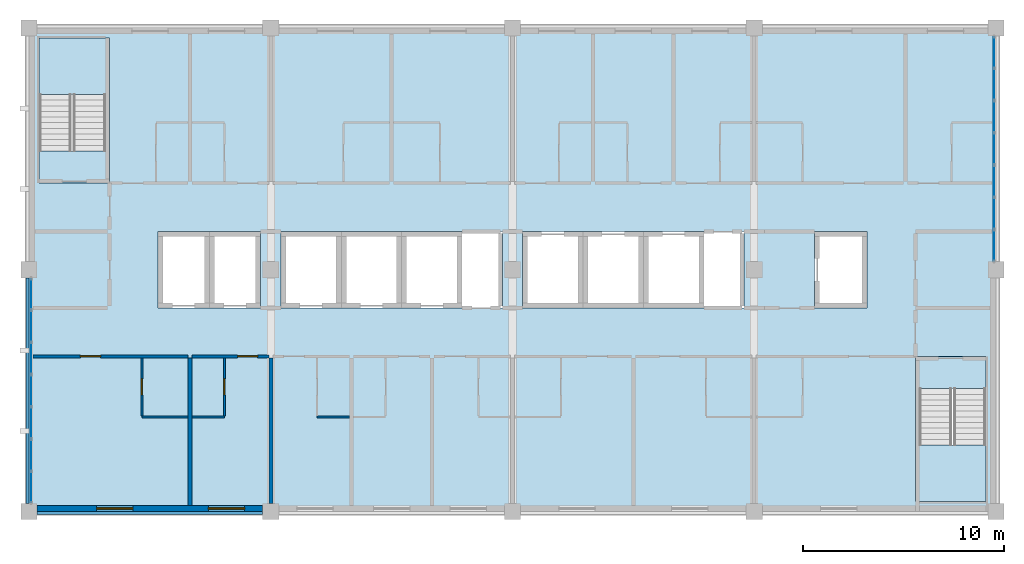
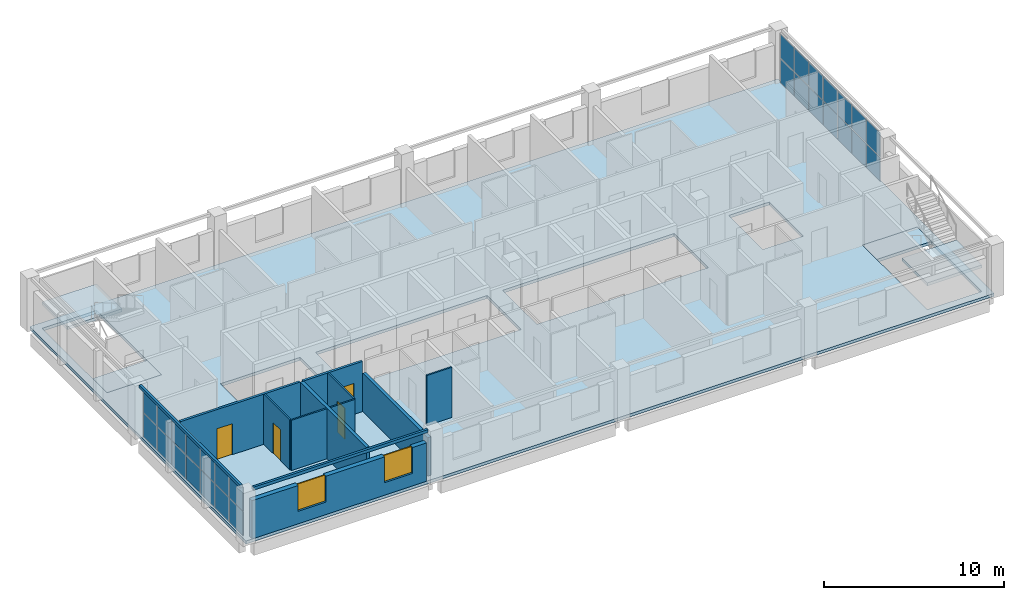
# One storey, part 5 of 11: 28 plates, 12 walls, 5 slabs, 4 doors, 2 windows, 6 openings, 4 elements without a shape of their own.
"""IFC4 building model written with IfcOpenShell, lengths in metres."""

from ifc_helpers import new_model, si_unit, direction, frame, frame_2d, origin, origin_2d, place, context, subcontext, project, spatial, polyline, rectangle, outline, extrude, material, layer, layer_set, type_object, element, fill, aggregate, save


model = new_model("IFC4")

# Units and contexts
model_context = context("Model", 3, precision=1e-05, world=origin(), true_north=direction((0.0, 1.0)))
body_context = subcontext(model_context, "Body", "Model", "MODEL_VIEW")
ifc_project = project(units=[si_unit("LENGTHUNIT", "METRE"), si_unit("AREAUNIT", "SQUARE_METRE"), si_unit("VOLUMEUNIT", "CUBIC_METRE"), si_unit("PLANEANGLEUNIT", "RADIAN"), si_unit("MASSUNIT", "GRAM", prefix="KILO")], contexts=[model_context])

# Site, building, storey
site_placement = place(None, origin())
site = spatial("IfcSite", under=ifc_project, at=site_placement, CompositionType="ELEMENT")
building_placement = place(site_placement, origin())
building = spatial("IfcBuilding", under=site, at=building_placement, Name="Lilac Gate Convention Centre", CompositionType="ELEMENT")
storey_placement = place(building_placement, frame((0.0, 0.0, 42.60009765625)))
storey = spatial("IfcBuildingStorey", under=building, at=storey_placement, Name="L10", CompositionType="ELEMENT", Elevation=42.60009765625)

# Curtain wall, plates
ifc_material_1 = material(Name="Aluminium framed double glazing", Category="aluminium")
ifc_layer_1 = layer(ifc_material_1, 0.199951171875)
ifc_layer_set_1 = layer_set([ifc_layer_1], Name="Aluminium framed double glazing")
curtain_wall_type = type_object("IfcCurtainWallType", Name="Unitised curtain wall 1500", PredefinedType="NOTDEFINED", material=ifc_layer_set_1)
curtain_wall_1_placement = place(storey_placement, origin())
curtain_wall_1 = element("IfcCurtainWall", 1, at=curtain_wall_1_placement, inside=storey, type_object=curtain_wall_type, Name="Curtain wall E L10 2", PredefinedType="NOTDEFINED")
ifc_material_2 = material(Name="Double glazed unit low emissivity")
ifc_layer_2 = layer(ifc_material_2, 0.028076171875)
ifc_layer_set_2 = layer_set([ifc_layer_2], Name="Double glazed unit low emissivity")
plate_type_1 = type_object("IfcPlateType", Name="Curtain wall glass panel 28", PredefinedType="CURTAIN_PANEL", material=ifc_layer_set_2)
plate_1_placement = place(storey_placement, frame((89.89990234375, 235.21484375, 1.72998046875), z_axis=(0.0, 0.0, 1.0), x_axis=(0.0, 1.0, 0.0)))
plate_1 = element("IfcPlate", 2, at=plate_1_placement, type_object=plate_type_1, Name="CW panel 1.2", PredefinedType="CURTAIN_PANEL", context=body_context, shape_type="SweptSolid", body=[
    extrude(rectangle(XDim=1.510009765625, YDim=0.028076171875, at=origin_2d()), origin(), (0.0, 0.0, 1.0), 1.610107421875),
])
plate_2_placement = place(storey_placement, frame((89.89990234375, 236.800048828125, 1.72998046875), z_axis=(0.0, 0.0, 1.0), x_axis=(0.0, 1.0, 0.0)))
plate_2 = element("IfcPlate", 3, at=plate_2_placement, type_object=plate_type_1, Name="CW panel 2.2", PredefinedType="CURTAIN_PANEL", context=body_context, shape_type="SweptSolid", body=[
    extrude(rectangle(XDim=1.5400390625, YDim=0.028076171875, at=origin_2d()), origin(), (0.0, 0.0, 1.0), 1.610107421875),
])
plate_3_placement = place(storey_placement, frame((89.89990234375, 238.39990234375, 1.72998046875), z_axis=(0.0, 0.0, 1.0), x_axis=(0.0, 1.0, 0.0)))
plate_3 = element("IfcPlate", 4, at=plate_3_placement, type_object=plate_type_1, Name="CW panel 3.2", PredefinedType="CURTAIN_PANEL", context=body_context, shape_type="SweptSolid", body=[
    extrude(rectangle(XDim=1.5400390625, YDim=0.028076171875, at=origin_2d()), origin(), (0.0, 0.0, 1.0), 1.610107421875),
])
plate_4_placement = place(storey_placement, frame((89.89990234375, 240.0, 1.72998046875), z_axis=(0.0, 0.0, 1.0), x_axis=(0.0, 1.0, 0.0)))
plate_4 = element("IfcPlate", 5, at=plate_4_placement, type_object=plate_type_1, Name="CW panel 4.2", PredefinedType="CURTAIN_PANEL", context=body_context, shape_type="SweptSolid", body=[
    extrude(rectangle(XDim=1.5400390625, YDim=0.028076171875, at=origin_2d()), origin(), (0.0, 0.0, 1.0), 1.610107421875),
])
plate_5_placement = place(storey_placement, frame((89.89990234375, 241.60009765625, 1.72998046875), z_axis=(0.0, 0.0, 1.0), x_axis=(0.0, 1.0, 0.0)))
plate_5 = element("IfcPlate", 6, at=plate_5_placement, type_object=plate_type_1, Name="CW panel 5.2", PredefinedType="CURTAIN_PANEL", context=body_context, shape_type="SweptSolid", body=[
    extrude(rectangle(XDim=1.5400390625, YDim=0.028076171875, at=origin_2d()), origin(), (0.0, 0.0, 1.0), 1.610107421875),
])
plate_6_placement = place(storey_placement, frame((89.89990234375, 243.199951171875, 1.72998046875), z_axis=(0.0, 0.0, 1.0), x_axis=(0.0, 1.0, 0.0)))
plate_6 = element("IfcPlate", 7, at=plate_6_placement, type_object=plate_type_1, Name="CW panel 6.2", PredefinedType="CURTAIN_PANEL", context=body_context, shape_type="SweptSolid", body=[
    extrude(rectangle(XDim=1.5400390625, YDim=0.028076171875, at=origin_2d()), origin(), (0.0, 0.0, 1.0), 1.610107421875),
])
plate_7_placement = place(storey_placement, frame((89.89990234375, 244.78515625, 1.72998046875), z_axis=(0.0, 0.0, 1.0), x_axis=(0.0, 1.0, 0.0)))
plate_7 = element("IfcPlate", 8, at=plate_7_placement, type_object=plate_type_1, Name="CW panel 7.2", PredefinedType="CURTAIN_PANEL", context=body_context, shape_type="SweptSolid", body=[
    extrude(rectangle(XDim=1.510009765625, YDim=0.028076171875, at=origin_2d()), origin(), (0.0, 0.0, 1.0), 1.610107421875),
])

curtain_wall_2_placement = place(storey_placement, origin())
curtain_wall_2 = element("IfcCurtainWall", 9, at=curtain_wall_2_placement, inside=storey, type_object=curtain_wall_type, Name="Curtain wall W L10 2", PredefinedType="NOTDEFINED")
plate_8_placement = place(storey_placement, frame((42.10009765625, 232.78515625, 1.72998046875), z_axis=(0.0, 0.0, 1.0), x_axis=(0.0, -1.0, 0.0)))
plate_8 = element("IfcPlate", 10, at=plate_8_placement, type_object=plate_type_1, Name="CW panel 1.2", PredefinedType="CURTAIN_PANEL", context=body_context, shape_type="SweptSolid", body=[
    extrude(rectangle(XDim=1.510009765625, YDim=0.028076171875, at=origin_2d()), origin(), (0.0, 0.0, 1.0), 1.610107421875),
])
plate_9_placement = place(storey_placement, frame((42.10009765625, 231.199951171875, 1.72998046875), z_axis=(0.0, 0.0, 1.0), x_axis=(0.0, -1.0, 0.0)))
plate_9 = element("IfcPlate", 11, at=plate_9_placement, type_object=plate_type_1, Name="CW panel 2.2", PredefinedType="CURTAIN_PANEL", context=body_context, shape_type="SweptSolid", body=[
    extrude(rectangle(XDim=1.5400390625, YDim=0.028076171875, at=origin_2d()), origin(), (0.0, 0.0, 1.0), 1.610107421875),
])
plate_10_placement = place(storey_placement, frame((42.10009765625, 229.60009765625, 1.72998046875), z_axis=(0.0, 0.0, 1.0), x_axis=(0.0, -1.0, 0.0)))
plate_10 = element("IfcPlate", 12, at=plate_10_placement, type_object=plate_type_1, Name="CW panel 3.2", PredefinedType="CURTAIN_PANEL", context=body_context, shape_type="SweptSolid", body=[
    extrude(rectangle(XDim=1.5400390625, YDim=0.028076171875, at=origin_2d()), origin(), (0.0, 0.0, 1.0), 1.610107421875),
])
plate_11_placement = place(storey_placement, frame((42.10009765625, 228.0, 1.72998046875), z_axis=(0.0, 0.0, 1.0), x_axis=(0.0, -1.0, 0.0)))
plate_11 = element("IfcPlate", 13, at=plate_11_placement, type_object=plate_type_1, Name="CW panel 4.2", PredefinedType="CURTAIN_PANEL", context=body_context, shape_type="SweptSolid", body=[
    extrude(rectangle(XDim=1.5400390625, YDim=0.028076171875, at=origin_2d()), origin(), (0.0, 0.0, 1.0), 1.610107421875),
])
plate_12_placement = place(storey_placement, frame((42.10009765625, 226.39990234375, 1.72998046875), z_axis=(0.0, 0.0, 1.0), x_axis=(0.0, -1.0, 0.0)))
plate_12 = element("IfcPlate", 14, at=plate_12_placement, type_object=plate_type_1, Name="CW panel 5.2", PredefinedType="CURTAIN_PANEL", context=body_context, shape_type="SweptSolid", body=[
    extrude(rectangle(XDim=1.5400390625, YDim=0.028076171875, at=origin_2d()), origin(), (0.0, 0.0, 1.0), 1.610107421875),
])
plate_13_placement = place(storey_placement, frame((42.10009765625, 224.800048828125, 1.72998046875), z_axis=(0.0, 0.0, 1.0), x_axis=(0.0, -1.0, 0.0)))
plate_13 = element("IfcPlate", 15, at=plate_13_placement, type_object=plate_type_1, Name="CW panel 6.2", PredefinedType="CURTAIN_PANEL", context=body_context, shape_type="SweptSolid", body=[
    extrude(rectangle(XDim=1.5400390625, YDim=0.028076171875, at=origin_2d()), origin(), (0.0, 0.0, 1.0), 1.610107421875),
])
plate_14_placement = place(storey_placement, frame((42.10009765625, 223.21484375, 1.72998046875), z_axis=(0.0, 0.0, 1.0), x_axis=(0.0, -1.0, 0.0)))
plate_14 = element("IfcPlate", 16, at=plate_14_placement, type_object=plate_type_1, Name="CW panel 7.2", PredefinedType="CURTAIN_PANEL", context=body_context, shape_type="SweptSolid", body=[
    extrude(rectangle(XDim=1.510009765625, YDim=0.028076171875, at=origin_2d()), origin(), (0.0, 0.0, 1.0), 1.610107421875),
])

# Plate
ifc_material_3 = material(Name="Insulated aluminium spandrel panel", Category="aluminium")
ifc_layer_3 = layer(ifc_material_3, 0.028076171875)
ifc_layer_set_3 = layer_set([ifc_layer_3], Name="Insulated aluminium spandrel panel")
plate_type_2 = type_object("IfcPlateType", Name="Curtain wall spandrel panel 28", PredefinedType="CURTAIN_PANEL", material=ifc_layer_set_3)
plate_15_placement = place(storey_placement, frame((89.89990234375, 235.21484375, 0.06005859375), z_axis=(0.0, 0.0, 1.0), x_axis=(0.0, 1.0, 0.0)))
plate_15 = element("IfcPlate", 17, at=plate_15_placement, type_object=plate_type_2, Name="CW spandrel 1.1", PredefinedType="CURTAIN_PANEL", context=body_context, shape_type="SweptSolid", body=[
    extrude(rectangle(XDim=1.510009765625, YDim=0.028076171875, at=origin_2d()), origin(), (0.0, 0.0, 1.0), 1.60986328125),
])

plate_16_placement = place(storey_placement, frame((89.89990234375, 236.800048828125, 0.06005859375), z_axis=(0.0, 0.0, 1.0), x_axis=(0.0, 1.0, 0.0)))
plate_16 = element("IfcPlate", 18, at=plate_16_placement, type_object=plate_type_2, Name="CW spandrel 2.1", PredefinedType="CURTAIN_PANEL", context=body_context, shape_type="SweptSolid", body=[
    extrude(rectangle(XDim=1.5400390625, YDim=0.028076171875, at=origin_2d()), origin(), (0.0, 0.0, 1.0), 1.60986328125),
])

plate_17_placement = place(storey_placement, frame((89.89990234375, 238.39990234375, 0.06005859375), z_axis=(0.0, 0.0, 1.0), x_axis=(0.0, 1.0, 0.0)))
plate_17 = element("IfcPlate", 19, at=plate_17_placement, type_object=plate_type_2, Name="CW spandrel 3.1", PredefinedType="CURTAIN_PANEL", context=body_context, shape_type="SweptSolid", body=[
    extrude(rectangle(XDim=1.5400390625, YDim=0.028076171875, at=origin_2d()), origin(), (0.0, 0.0, 1.0), 1.60986328125),
])

plate_18_placement = place(storey_placement, frame((89.89990234375, 240.0, 0.06005859375), z_axis=(0.0, 0.0, 1.0), x_axis=(0.0, 1.0, 0.0)))
plate_18 = element("IfcPlate", 20, at=plate_18_placement, type_object=plate_type_2, Name="CW spandrel 4.1", PredefinedType="CURTAIN_PANEL", context=body_context, shape_type="SweptSolid", body=[
    extrude(rectangle(XDim=1.5400390625, YDim=0.028076171875, at=origin_2d()), origin(), (0.0, 0.0, 1.0), 1.60986328125),
])

plate_19_placement = place(storey_placement, frame((89.89990234375, 241.60009765625, 0.06005859375), z_axis=(0.0, 0.0, 1.0), x_axis=(0.0, 1.0, 0.0)))
plate_19 = element("IfcPlate", 21, at=plate_19_placement, type_object=plate_type_2, Name="CW spandrel 5.1", PredefinedType="CURTAIN_PANEL", context=body_context, shape_type="SweptSolid", body=[
    extrude(rectangle(XDim=1.5400390625, YDim=0.028076171875, at=origin_2d()), origin(), (0.0, 0.0, 1.0), 1.60986328125),
])

plate_20_placement = place(storey_placement, frame((89.89990234375, 243.199951171875, 0.06005859375), z_axis=(0.0, 0.0, 1.0), x_axis=(0.0, 1.0, 0.0)))
plate_20 = element("IfcPlate", 22, at=plate_20_placement, type_object=plate_type_2, Name="CW spandrel 6.1", PredefinedType="CURTAIN_PANEL", context=body_context, shape_type="SweptSolid", body=[
    extrude(rectangle(XDim=1.5400390625, YDim=0.028076171875, at=origin_2d()), origin(), (0.0, 0.0, 1.0), 1.60986328125),
])

plate_21_placement = place(storey_placement, frame((89.89990234375, 244.78515625, 0.06005859375), z_axis=(0.0, 0.0, 1.0), x_axis=(0.0, 1.0, 0.0)))
plate_21 = element("IfcPlate", 23, at=plate_21_placement, type_object=plate_type_2, Name="CW spandrel 7.1", PredefinedType="CURTAIN_PANEL", context=body_context, shape_type="SweptSolid", body=[
    extrude(rectangle(XDim=1.510009765625, YDim=0.028076171875, at=origin_2d()), origin(), (0.0, 0.0, 1.0), 1.60986328125),
])

aggregate(curtain_wall_1, [plate_15, plate_1, plate_16, plate_2, plate_17, plate_3, plate_18, plate_4, plate_19, plate_5, plate_20, plate_6, plate_21, plate_7])

plate_22_placement = place(storey_placement, frame((42.10009765625, 232.78515625, 0.06005859375), z_axis=(0.0, 0.0, 1.0), x_axis=(0.0, -1.0, 0.0)))
plate_22 = element("IfcPlate", 24, at=plate_22_placement, type_object=plate_type_2, Name="CW spandrel 1.1", PredefinedType="CURTAIN_PANEL", context=body_context, shape_type="SweptSolid", body=[
    extrude(rectangle(XDim=1.510009765625, YDim=0.028076171875, at=origin_2d()), origin(), (0.0, 0.0, 1.0), 1.60986328125),
])

plate_23_placement = place(storey_placement, frame((42.10009765625, 231.199951171875, 0.06005859375), z_axis=(0.0, 0.0, 1.0), x_axis=(0.0, -1.0, 0.0)))
plate_23 = element("IfcPlate", 25, at=plate_23_placement, type_object=plate_type_2, Name="CW spandrel 2.1", PredefinedType="CURTAIN_PANEL", context=body_context, shape_type="SweptSolid", body=[
    extrude(rectangle(XDim=1.5400390625, YDim=0.028076171875, at=origin_2d()), origin(), (0.0, 0.0, 1.0), 1.60986328125),
])

plate_24_placement = place(storey_placement, frame((42.10009765625, 229.60009765625, 0.06005859375), z_axis=(0.0, 0.0, 1.0), x_axis=(0.0, -1.0, 0.0)))
plate_24 = element("IfcPlate", 26, at=plate_24_placement, type_object=plate_type_2, Name="CW spandrel 3.1", PredefinedType="CURTAIN_PANEL", context=body_context, shape_type="SweptSolid", body=[
    extrude(rectangle(XDim=1.5400390625, YDim=0.028076171875, at=origin_2d()), origin(), (0.0, 0.0, 1.0), 1.60986328125),
])

plate_25_placement = place(storey_placement, frame((42.10009765625, 228.0, 0.06005859375), z_axis=(0.0, 0.0, 1.0), x_axis=(0.0, -1.0, 0.0)))
plate_25 = element("IfcPlate", 27, at=plate_25_placement, type_object=plate_type_2, Name="CW spandrel 4.1", PredefinedType="CURTAIN_PANEL", context=body_context, shape_type="SweptSolid", body=[
    extrude(rectangle(XDim=1.5400390625, YDim=0.028076171875, at=origin_2d()), origin(), (0.0, 0.0, 1.0), 1.60986328125),
])

plate_26_placement = place(storey_placement, frame((42.10009765625, 226.39990234375, 0.06005859375), z_axis=(0.0, 0.0, 1.0), x_axis=(0.0, -1.0, 0.0)))
plate_26 = element("IfcPlate", 28, at=plate_26_placement, type_object=plate_type_2, Name="CW spandrel 5.1", PredefinedType="CURTAIN_PANEL", context=body_context, shape_type="SweptSolid", body=[
    extrude(rectangle(XDim=1.5400390625, YDim=0.028076171875, at=origin_2d()), origin(), (0.0, 0.0, 1.0), 1.60986328125),
])

plate_27_placement = place(storey_placement, frame((42.10009765625, 224.800048828125, 0.06005859375), z_axis=(0.0, 0.0, 1.0), x_axis=(0.0, -1.0, 0.0)))
plate_27 = element("IfcPlate", 29, at=plate_27_placement, type_object=plate_type_2, Name="CW spandrel 6.1", PredefinedType="CURTAIN_PANEL", context=body_context, shape_type="SweptSolid", body=[
    extrude(rectangle(XDim=1.5400390625, YDim=0.028076171875, at=origin_2d()), origin(), (0.0, 0.0, 1.0), 1.60986328125),
])

plate_28_placement = place(storey_placement, frame((42.10009765625, 223.21484375, 0.06005859375), z_axis=(0.0, 0.0, 1.0), x_axis=(0.0, -1.0, 0.0)))
plate_28 = element("IfcPlate", 30, at=plate_28_placement, type_object=plate_type_2, Name="CW spandrel 7.1", PredefinedType="CURTAIN_PANEL", context=body_context, shape_type="SweptSolid", body=[
    extrude(rectangle(XDim=1.510009765625, YDim=0.028076171875, at=origin_2d()), origin(), (0.0, 0.0, 1.0), 1.60986328125),
])

aggregate(curtain_wall_2, [plate_22, plate_8, plate_23, plate_9, plate_24, plate_10, plate_25, plate_11, plate_26, plate_12, plate_27, plate_13, plate_28, plate_14])

# Stair, slabs
ifc_material_4 = material(Name="Concrete C40", Category="concrete")
stair_type = type_object("IfcStairType", Name="Exit stair", PredefinedType="DOUBLE_RETURN_STAIR", material=ifc_material_4)
stair_1_placement = place(storey_placement, origin())
stair_1 = element("IfcStair", 31, at=stair_1_placement, inside=storey, type_object=stair_type, Name="Exit stair NW L10", PredefinedType="DOUBLE_RETURN_STAIR")
ifc_layer_4 = layer(ifc_material_4, 0.199951171875)
ifc_layer_set_4 = layer_set([ifc_layer_4], Name="Concrete C40")
slab_type_1 = type_object("IfcSlabType", Name="Exit stair landing", PredefinedType="LANDING", material=ifc_layer_set_4)
slab_1_placement = place(storey_placement, frame((0.0, 0.0, -0.2001953125)))
slab_1 = element("IfcSlab", 32, at=slab_1_placement, type_object=slab_type_1, Name="ST-NW landing 1", PredefinedType="LANDING", context=body_context, shape_type="SweptSolid", body=[
    extrude(outline(polyline([(42.5, 238.300048828125), (46.0, 238.300048828125), (46.0, 239.89990234375), (42.5, 239.89990234375), (42.5, 238.300048828125)])), origin(), (0.0, 0.0, 1.0), 0.2001953125),
])
slab_2_placement = place(storey_placement, frame((0.0, 0.0, 1.599853515625)))
slab_2 = element("IfcSlab", 33, at=slab_2_placement, type_object=slab_type_1, Name="ST-NW landing 2", PredefinedType="LANDING", context=body_context, shape_type="SweptSolid", body=[
    extrude(outline(polyline([(42.5, 242.699951171875), (46.0, 242.699951171875), (46.0, 245.5), (42.5, 245.5), (42.5, 242.699951171875)])), origin(), (0.0, 0.0, 1.0), 0.199951171875),
])
aggregate(stair_1, [slab_1, slab_2])

stair_2_placement = place(storey_placement, origin())
stair_2 = element("IfcStair", 34, at=stair_2_placement, inside=storey, type_object=stair_type, Name="Exit stair SE L10", PredefinedType="DOUBLE_RETURN_STAIR")
slab_3_placement = place(storey_placement, frame((0.0, 0.0, -0.2001953125)))
slab_3 = element("IfcSlab", 35, at=slab_3_placement, type_object=slab_type_1, Name="ST-SE landing 1", PredefinedType="LANDING", context=body_context, shape_type="SweptSolid", body=[
    extrude(outline(polyline([(86.0, 228.10009765625), (89.5, 228.10009765625), (89.5, 229.699951171875), (86.0, 229.699951171875), (86.0, 228.10009765625)])), origin(), (0.0, 0.0, 1.0), 0.2001953125),
])
slab_4_placement = place(storey_placement, frame((0.0, 0.0, 1.599853515625)))
slab_4 = element("IfcSlab", 36, at=slab_4_placement, type_object=slab_type_1, Name="ST-SE landing 2", PredefinedType="LANDING", context=body_context, shape_type="SweptSolid", body=[
    extrude(outline(polyline([(86.0, 222.5), (89.5, 222.5), (89.5, 225.300048828125), (86.0, 225.300048828125), (86.0, 222.5)])), origin(), (0.0, 0.0, 1.0), 0.199951171875),
])
aggregate(stair_2, [slab_3, slab_4])

# Slab
ifc_layer_5 = layer(ifc_material_4, 0.199951171875)
ifc_layer_set_5 = layer_set([ifc_layer_5], Name="Concrete C40")
slab_type_2 = type_object("IfcSlabType", Name="Floor slab 200 C40", PredefinedType="FLOOR", material=ifc_layer_set_5)
slab_5_placement = place(storey_placement, frame((0.0, 0.0, -0.2001953125)))
element("IfcSlab", 37, at=slab_5_placement, inside=storey, type_object=slab_type_2, Name="FS3 slab L10 1", PredefinedType="FLOOR", context=body_context, shape_type="SweptSolid", body=[
    extrude(outline(polyline([(42.0, 222.0), (42.0, 246.0), (90.0, 246.0), (90.0, 222.0), (42.0, 222.0)]), holes=[polyline([(48.39990234375, 235.89990234375), (48.39990234375, 232.10009765625), (50.949951171875, 232.10009765625), (53.5, 232.10009765625), (53.5, 235.89990234375), (50.949951171875, 235.89990234375), (48.39990234375, 235.89990234375)]), polyline([(57.5, 235.89990234375), (54.5, 235.89990234375), (54.5, 232.10009765625), (57.5, 232.10009765625), (60.5, 232.10009765625), (63.5, 232.10009765625), (65.5, 232.10009765625), (65.5, 235.89990234375), (63.5, 235.89990234375), (60.5, 235.89990234375), (57.5, 235.89990234375)]), polyline([(42.5, 245.5), (42.5, 238.300048828125), (46.0, 238.300048828125), (46.0, 245.5), (42.5, 245.5)]), polyline([(89.5, 229.699951171875), (86.0, 229.699951171875), (86.0, 222.5), (89.5, 222.5), (89.5, 229.699951171875)]), polyline([(69.5, 235.89990234375), (66.5, 235.89990234375), (66.5, 232.10009765625), (69.5, 232.10009765625), (72.5, 232.10009765625), (75.5, 232.10009765625), (77.5, 232.10009765625), (77.5, 235.89990234375), (75.5, 235.89990234375), (72.5, 235.89990234375), (69.5, 235.89990234375)]), polyline([(83.60009765625, 235.89990234375), (81.0, 235.89990234375), (81.0, 232.10009765625), (83.60009765625, 232.10009765625), (83.60009765625, 235.89990234375)])]), origin(), (0.0, 0.0, 1.0), 0.2001953125),
])

# Wall, opening, door
ifc_material_5 = material(Name="Gypsum board on steel stud", Category="steel")
ifc_layer_6 = layer(ifc_material_5, 0.14990234375)
ifc_layer_set_6 = layer_set([ifc_layer_6], Name="Gypsum board on steel stud")
wall_type_1 = type_object("IfcWallType", Name="Corridor wall 150", PredefinedType="PARTITIONING", material=ifc_layer_set_6)
wall_1_placement = place(storey_placement, frame((49.89990234375, 229.699951171875, 0.0), z_axis=(0.0, 0.0, 1.0), x_axis=(-1.0, 0.0, 0.0)))
wall_1 = element("IfcWall", 38, at=wall_1_placement, inside=storey, type_object=wall_type_1, Name="Corridor wall 150 front 1001", PredefinedType="PARTITIONING", context=body_context, shape_type="SweptSolid", body=[
    extrude(rectangle(XDim=7.69970703125, YDim=0.14990234375, at=frame_2d((3.849853515625, 0.0))), origin(), (0.0, 0.0, 1.0), 3.39990234375),
])
opening_1_placement = place(wall_1_placement, frame((4.35009765625, 0.0, 0.0)))
opening_1 = element("IfcOpeningElement", 39, at=opening_1_placement, cuts=wall_1, Name="Opening T10-008", PredefinedType="OPENING", context=body_context, shape_type="SweptSolid", body=[
    extrude(rectangle(XDim=1.0, YDim=2.10009765625, at=frame_2d((0.5, 1.050048828125))), frame((0.0, 0.0849609375, 0.0), z_axis=(0.0, -1.0, 0.0), x_axis=(1.0, 0.0, 0.0)), (0.0, 0.0, 1.0), 0.169921875),
])
ifc_material_6 = material(Name="Timber", Category="wood")
door_type_1 = type_object("IfcDoorType", Name="Guest room entrance door 1000", OperationType="SINGLE_SWING_LEFT", PredefinedType="DOOR", material=ifc_material_6)
door_1_placement = place(opening_1_placement, origin())
door_1 = element("IfcDoor", 40, at=door_1_placement, inside=storey, type_object=door_type_1, Name="Guest room door 1001", OperationType="SINGLE_SWING_LEFT", OverallHeight=2.10009765625, OverallWidth=1.0, PredefinedType="DOOR", context=body_context, shape_type="SweptSolid", body=[
    extrude(rectangle(XDim=1.0, YDim=2.10009765625, at=frame_2d((0.5, 1.050048828125))), frame((0.0, 0.02490234375, 0.0), z_axis=(0.0, -1.0, 0.0), x_axis=(1.0, 0.0, 0.0)), (0.0, 0.0, 1.0), 0.050048828125),
])
fill(opening_1, door_1)

wall_2_placement = place(storey_placement, frame((53.89990234375, 229.699951171875, 0.0), z_axis=(0.0, 0.0, 1.0), x_axis=(-1.0, 0.0, 0.0)))
wall_2 = element("IfcWall", 41, at=wall_2_placement, inside=storey, type_object=wall_type_1, Name="Corridor wall 150 front 1002", PredefinedType="PARTITIONING", context=body_context, shape_type="SweptSolid", body=[
    extrude(rectangle(XDim=3.7998046875, YDim=0.14990234375, at=frame_2d((1.89990234375, 0.0))), origin(), (0.0, 0.0, 1.0), 3.39990234375),
])
opening_2_placement = place(wall_2_placement, frame((0.550048828125, 0.0, 0.0)))
opening_2 = element("IfcOpeningElement", 42, at=opening_2_placement, cuts=wall_2, Name="Opening T10-010", PredefinedType="OPENING", context=body_context, shape_type="SweptSolid", body=[
    extrude(rectangle(XDim=1.0, YDim=2.10009765625, at=frame_2d((0.5, 1.050048828125))), frame((0.0, 0.0849609375, 0.0), z_axis=(0.0, -1.0, 0.0), x_axis=(1.0, 0.0, 0.0)), (0.0, 0.0, 1.0), 0.169921875),
])
door_2_placement = place(opening_2_placement, origin())
door_2 = element("IfcDoor", 43, at=door_2_placement, inside=storey, type_object=door_type_1, Name="Guest room door 1002", OperationType="SINGLE_SWING_LEFT", OverallHeight=2.10009765625, OverallWidth=1.0, PredefinedType="DOOR", context=body_context, shape_type="SweptSolid", body=[
    extrude(rectangle(XDim=1.0, YDim=2.10009765625, at=frame_2d((0.5, 1.050048828125))), frame((0.0, 0.02490234375, 0.0), z_axis=(0.0, -1.0, 0.0), x_axis=(1.0, 0.0, 0.0)), (0.0, 0.0, 1.0), 0.050048828125),
])
fill(opening_2, door_2)

# Wall
ifc_layer_7 = layer(ifc_material_5, 0.10009765625)
ifc_layer_set_7 = layer_set([ifc_layer_7], Name="Gypsum board on steel stud")
wall_type_2 = type_object("IfcWallType", Name="En-suite wall 100", PredefinedType="PARTITIONING", material=ifc_layer_set_7)
wall_3_placement = place(storey_placement, frame((47.60009765625, 226.699951171875, 0.0), z_axis=(0.0, 0.0, 1.0), x_axis=(1.0, 0.0, 0.0)))
element("IfcWall", 44, at=wall_3_placement, inside=storey, type_object=wall_type_2, Name="En-suite wall 100 bath 1001", PredefinedType="PARTITIONING", context=body_context, shape_type="SweptSolid", body=[
    extrude(rectangle(XDim=2.2998046875, YDim=0.10009765625, at=frame_2d((1.14990234375, 0.0))), origin(), (0.0, 0.0, 1.0), 3.39990234375),
])

# Wall, opening, door
wall_4_placement = place(storey_placement, frame((47.60009765625, 226.75, 0.0), z_axis=(0.0, 0.0, 1.0), x_axis=(0.0, 1.0, 0.0)))
wall_4 = element("IfcWall", 45, at=wall_4_placement, inside=storey, type_object=wall_type_2, Name="En-suite wall 100 bath side 1001", PredefinedType="PARTITIONING", context=body_context, shape_type="SweptSolid", body=[
    extrude(rectangle(XDim=2.875, YDim=0.10009765625, at=frame_2d((1.4375, 0.0))), origin(), (0.0, 0.0, 1.0), 3.39990234375),
])
opening_3_placement = place(wall_4_placement, frame((1.03759765625, 0.0, 0.0)))
opening_3 = element("IfcOpeningElement", 46, at=opening_3_placement, cuts=wall_4, Name="Opening T10-009", PredefinedType="OPENING", context=body_context, shape_type="SweptSolid", body=[
    extrude(rectangle(XDim=0.800048828125, YDim=2.10009765625, at=frame_2d((0.39990234375, 1.050048828125))), frame((0.0, 0.06005859375, 0.0), z_axis=(0.0, -1.0, 0.0), x_axis=(1.0, 0.0, 0.0)), (0.0, 0.0, 1.0), 0.1201171875),
])
door_type_2 = type_object("IfcDoorType", Name="En-suite door 800", OperationType="SINGLE_SWING_LEFT", PredefinedType="DOOR", material=ifc_material_6)
door_3_placement = place(opening_3_placement, origin())
door_3 = element("IfcDoor", 47, at=door_3_placement, inside=storey, type_object=door_type_2, Name="En-suite door 1001", OperationType="SINGLE_SWING_RIGHT", OverallHeight=2.10009765625, OverallWidth=0.800048828125, PredefinedType="DOOR", context=body_context, shape_type="SweptSolid", body=[
    extrude(rectangle(XDim=0.800048828125, YDim=2.10009765625, at=frame_2d((0.39990234375, 1.050048828125))), frame((0.0, 0.02490234375, 0.0), z_axis=(0.0, -1.0, 0.0), x_axis=(1.0, 0.0, 0.0)), (0.0, 0.0, 1.0), 0.050048828125),
])
fill(opening_3, door_3)

# Wall
wall_5_placement = place(storey_placement, frame((50.10009765625, 226.699951171875, 0.0), z_axis=(0.0, 0.0, 1.0), x_axis=(1.0, 0.0, 0.0)))
element("IfcWall", 48, at=wall_5_placement, inside=storey, type_object=wall_type_2, Name="En-suite wall 100 bath 1002", PredefinedType="PARTITIONING", context=body_context, shape_type="SweptSolid", body=[
    extrude(rectangle(XDim=1.599853515625, YDim=0.10009765625, at=frame_2d((0.7998046875, 0.0))), origin(), (0.0, 0.0, 1.0), 3.39990234375),
])

# Wall, opening, door
wall_6_placement = place(storey_placement, frame((51.699951171875, 229.625, 0.0), z_axis=(0.0, 0.0, 1.0), x_axis=(0.0, -1.0, 0.0)))
wall_6 = element("IfcWall", 49, at=wall_6_placement, inside=storey, type_object=wall_type_2, Name="En-suite wall 100 bath side 1002", PredefinedType="PARTITIONING", context=body_context, shape_type="SweptSolid", body=[
    extrude(rectangle(XDim=2.875, YDim=0.10009765625, at=frame_2d((1.4375, 0.0))), origin(), (0.0, 0.0, 1.0), 3.39990234375),
])
opening_4_placement = place(wall_6_placement, frame((1.03759765625, 0.0, 0.0)))
opening_4 = element("IfcOpeningElement", 50, at=opening_4_placement, cuts=wall_6, Name="Opening T10-011", PredefinedType="OPENING", context=body_context, shape_type="SweptSolid", body=[
    extrude(rectangle(XDim=0.800048828125, YDim=2.10009765625, at=frame_2d((0.39990234375, 1.050048828125))), frame((0.0, 0.06005859375, 0.0), z_axis=(0.0, -1.0, 0.0), x_axis=(1.0, 0.0, 0.0)), (0.0, 0.0, 1.0), 0.1201171875),
])
door_4_placement = place(opening_4_placement, origin())
door_4 = element("IfcDoor", 51, at=door_4_placement, inside=storey, type_object=door_type_2, Name="En-suite door 1002", OperationType="SINGLE_SWING_LEFT", OverallHeight=2.10009765625, OverallWidth=0.800048828125, PredefinedType="DOOR", context=body_context, shape_type="SweptSolid", body=[
    extrude(rectangle(XDim=0.800048828125, YDim=2.10009765625, at=frame_2d((0.39990234375, 1.050048828125))), frame((0.0, 0.02490234375, 0.0), z_axis=(0.0, -1.0, 0.0), x_axis=(1.0, 0.0, 0.0)), (0.0, 0.0, 1.0), 0.050048828125),
])
fill(opening_4, door_4)

# Walls
wall_7_placement = place(storey_placement, frame((56.300048828125, 226.699951171875, 0.0), z_axis=(0.0, 0.0, 1.0), x_axis=(1.0, 0.0, 0.0)))
element("IfcWall", 52, at=wall_7_placement, inside=storey, type_object=wall_type_2, Name="En-suite wall 100 bath 1003", PredefinedType="PARTITIONING", context=body_context, shape_type="SweptSolid", body=[
    extrude(rectangle(XDim=1.599853515625, YDim=0.10009765625, at=frame_2d((0.7998046875, 0.0))), origin(), (0.0, 0.0, 1.0), 3.39990234375),
])
ifc_layer_8 = layer(ifc_material_5, 0.199951171875)
ifc_layer_set_8 = layer_set([ifc_layer_8], Name="Gypsum board on steel stud")
wall_type_3 = type_object("IfcWallType", Name="Guest room party wall 200", PredefinedType="PARTITIONING", material=ifc_layer_set_8)
wall_8_placement = place(storey_placement, frame((50.0, 222.2998046875, 0.0), z_axis=(0.0, 0.0, 1.0), x_axis=(0.0, 1.0, 0.0)))
element("IfcWall", 53, at=wall_8_placement, inside=storey, type_object=wall_type_3, Name="Guest room party wall 200 party 50.0", PredefinedType="PARTITIONING", context=body_context, shape_type="SweptSolid", body=[
    extrude(rectangle(XDim=7.3251953125, YDim=0.199951171875, at=frame_2d((3.66259765625, 0.0))), origin(), (0.0, 0.0, 1.0), 3.39990234375),
])
wall_9_placement = place(storey_placement, frame((54.0, 222.39990234375, 0.0), z_axis=(0.0, 0.0, 1.0), x_axis=(0.0, 1.0, 0.0)))
element("IfcWall", 54, at=wall_9_placement, inside=storey, type_object=wall_type_3, Name="Guest room party wall 200 party 54.0", PredefinedType="PARTITIONING", context=body_context, shape_type="SweptSolid", body=[
    extrude(rectangle(XDim=7.22509765625, YDim=0.199951171875, at=frame_2d((3.612548828125, 0.0))), origin(), (0.0, 0.0, 1.0), 2.599853515625),
])
ifc_material_7 = material(Name="Concrete C40 precast", Category="concrete")
ifc_layer_9 = layer(ifc_material_7, 0.1298828125)
ifc_material_8 = material(Name="Teal glazed cladding")
ifc_layer_10 = layer(ifc_material_8, 0.02001953125)
ifc_layer_set_9 = layer_set([ifc_layer_9, ifc_layer_10], Name="Concrete C40 precast, Teal glazed cladding")
wall_type_4 = type_object("IfcWallType", Name="Precast band teal 150", PredefinedType="STANDARD", material=ifc_layer_set_9)
for number, where, z_axis, x_axis, name in (
    (55, (42.39990234375, 221.925048828125, 3.39990234375), (0.0, 0.0, 1.0), (1.0, 0.0, 0.0), "Precast band S L10 1"),
    (56, (41.925048828125, 233.60009765625, 3.39990234375), (0.0, 0.0, 1.0), (0.0, -1.0, 0.0), "Precast band W L10 2"),
):
    element("IfcWall", number, at=place(storey_placement, frame(where, z_axis=z_axis, x_axis=x_axis)), inside=storey, type_object=wall_type_4, Name=name, PredefinedType="STANDARD", context=body_context, shape_type="SweptSolid", body=[
        extrude(rectangle(XDim=11.2001953125, YDim=0.14990234375, at=frame_2d((5.60009765625, 0.0))), origin(), (0.0, 0.0, 1.0), 0.199951171875),
    ])

# Wall, openings, windows
ifc_material_9 = material(Name="Ochre mineral render")
ifc_layer_11 = layer(ifc_material_9, 0.02001953125)
ifc_layer_12 = layer(ifc_material_7, 0.06005859375)
ifc_material_10 = material(Name="Ventilated air cavity")
ifc_layer_13 = layer(ifc_material_10, 0.030029296875)
ifc_material_11 = material(Name="Mineral wool insulation")
ifc_layer_14 = layer(ifc_material_11, 0.1201171875)
ifc_material_12 = material(Name="Steel stud Q345 and gypsum lining", Category="steel")
ifc_layer_15 = layer(ifc_material_12, 0.070068359375)
ifc_layer_set_10 = layer_set([ifc_layer_11, ifc_layer_12, ifc_layer_13, ifc_layer_14, ifc_layer_15], Name="Ochre mineral render, Concrete C40 precast, Ventilated air cavity, Mineral wool insulation, Steel stud Q345 and gypsum lining")
wall_type_5 = type_object("IfcWallType", Name="Precast panel wall ochre 300", PredefinedType="STANDARD", material=ifc_layer_set_10)
wall_10_placement = place(storey_placement, frame((42.39990234375, 222.14990234375, 0.0), z_axis=(0.0, 0.0, 1.0), x_axis=(1.0, 0.0, 0.0)))
wall_10 = element("IfcWall", 57, at=wall_10_placement, inside=storey, type_object=wall_type_5, Name="External wall S L10 1", PredefinedType="STANDARD", context=body_context, shape_type="SweptSolid", body=[
    extrude(rectangle(XDim=11.2001953125, YDim=0.300048828125, at=frame_2d((5.60009765625, 0.0))), origin(), (0.0, 0.0, 1.0), 2.599853515625),
])
opening_5_placement = place(wall_10_placement, frame((2.949951171875, 0.0, 0.85009765625)))
opening_5 = element("IfcOpeningElement", 58, at=opening_5_placement, cuts=wall_10, Name="Opening W1", PredefinedType="OPENING", context=body_context, shape_type="SweptSolid", body=[
    extrude(rectangle(XDim=1.800048828125, YDim=1.75, at=frame_2d((0.89990234375, 0.875))), frame((0.0, 0.159912109375, 0.0), z_axis=(0.0, -1.0, 0.0), x_axis=(1.0, 0.0, 0.0)), (0.0, 0.0, 1.0), 0.320068359375),
])
opening_6_placement = place(wall_10_placement, frame((8.5, 0.0, 0.85009765625)))
opening_6 = element("IfcOpeningElement", 59, at=opening_6_placement, cuts=wall_10, Name="Opening W1", PredefinedType="OPENING", context=body_context, shape_type="SweptSolid", body=[
    extrude(rectangle(XDim=1.800048828125, YDim=1.75, at=frame_2d((0.89990234375, 0.875))), frame((0.0, 0.159912109375, 0.0), z_axis=(0.0, -1.0, 0.0), x_axis=(1.0, 0.0, 0.0)), (0.0, 0.0, 1.0), 0.320068359375),
])
window_type = type_object("IfcWindowType", Name="Guest room window 1800 x 1750", PartitioningType="DOUBLE_PANEL_VERTICAL", PredefinedType="WINDOW", material=ifc_material_1)
window_1_placement = place(opening_5_placement, origin())
window_1 = element("IfcWindow", 60, at=window_1_placement, inside=storey, type_object=window_type, Name="Window Guest S L10", OverallHeight=1.75, OverallWidth=1.800048828125, PartitioningType="SINGLE_PANEL", PredefinedType="WINDOW", context=body_context, shape_type="SweptSolid", body=[
    extrude(rectangle(XDim=1.800048828125, YDim=1.75, at=frame_2d((0.89990234375, 0.875))), frame((0.0, 0.030029296875, 0.0), z_axis=(0.0, -1.0, 0.0), x_axis=(1.0, 0.0, 0.0)), (0.0, 0.0, 1.0), 0.06005859375),
])
fill(opening_5, window_1)
window_2_placement = place(opening_6_placement, origin())
window_2 = element("IfcWindow", 61, at=window_2_placement, inside=storey, type_object=window_type, Name="Window Guest S L10", OverallHeight=1.75, OverallWidth=1.800048828125, PartitioningType="SINGLE_PANEL", PredefinedType="WINDOW", context=body_context, shape_type="SweptSolid", body=[
    extrude(rectangle(XDim=1.800048828125, YDim=1.75, at=frame_2d((0.89990234375, 0.875))), frame((0.0, 0.030029296875, 0.0), z_axis=(0.0, -1.0, 0.0), x_axis=(1.0, 0.0, 0.0)), (0.0, 0.0, 1.0), 0.06005859375),
])
fill(opening_6, window_2)

save(model, "model.ifc")
